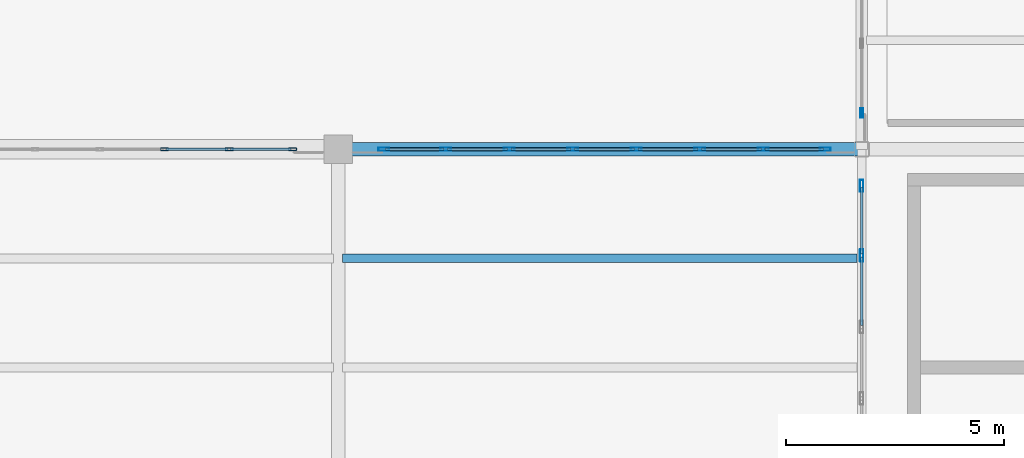
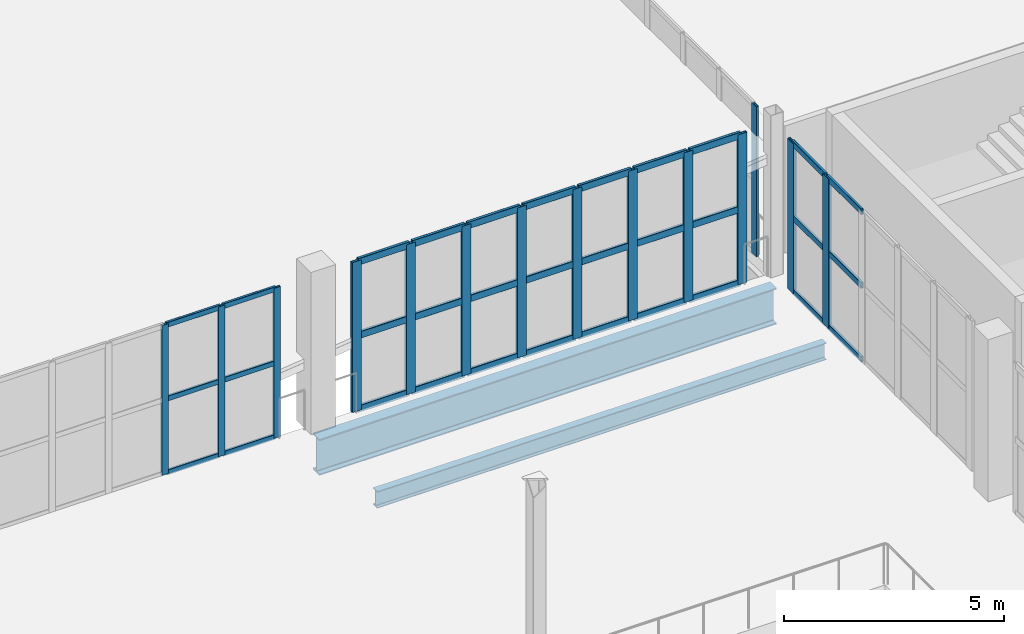
# One storey, part 15 of 90: 47 members, 2 beams, 4 elements without a shape of their own.
"""IFC4 building model written with IfcOpenShell, lengths in metres."""

from ifc_helpers import new_model, si_unit, direction, frame, origin, origin_2d, place, context, subcontext, project, spatial, hollow_rectangle, i_section, extrude, material, layer, layer_set, material_profile, profile_set, type_object, element, aggregate, save


model = new_model("IFC4")

# Units and contexts
model_context = context("Model", 3, precision=1e-05, world=origin(), true_north=direction((0.0, 1.0)))
body_context = subcontext(model_context, "Body", "Model", "MODEL_VIEW")
ifc_project = project(units=[si_unit("LENGTHUNIT", "METRE"), si_unit("AREAUNIT", "SQUARE_METRE"), si_unit("VOLUMEUNIT", "CUBIC_METRE"), si_unit("PLANEANGLEUNIT", "RADIAN"), si_unit("MASSUNIT", "GRAM", prefix="KILO")], contexts=[model_context])

# Site, building, storey
site_placement = place(None, origin())
site = spatial("IfcSite", under=ifc_project, at=site_placement, CompositionType="ELEMENT")
building_placement = place(site_placement, origin())
building = spatial("IfcBuilding", under=site, at=building_placement, Name="Brinegate Civic Arena", CompositionType="ELEMENT")
storey_placement = place(building_placement, frame((0.0, 0.0, 14.699951171875)))
storey = spatial("IfcBuildingStorey", under=building, at=storey_placement, Name="L03", CompositionType="ELEMENT", Elevation=14.699951171875)

# Curtain wall, members
ifc_material_1 = material(Name="Marine grade aluminium", Category="aluminium")
ifc_layer_1 = layer(ifc_material_1, 0.18505859375, Name="Marine grade aluminium")
ifc_layer_set_1 = layer_set([ifc_layer_1], Name="Marine grade aluminium")
curtain_wall_type_1 = type_object("IfcCurtainWallType", Name="CW-WING-GLAZED-03", PredefinedType="USERDEFINED", material=ifc_layer_set_1)
curtain_wall_1_placement = place(storey_placement, origin())
curtain_wall_1 = element("IfcCurtainWall", 1, at=curtain_wall_1_placement, inside=storey, type_object=curtain_wall_type_1, Name="Curtain Wall CWA-030", ObjectType="GLAZED CURTAIN WALL", PredefinedType="USERDEFINED")
ifc_material_profile_1 = material_profile(ifc_material_1, hollow_rectangle(XDim=0.06494140625, YDim=0.179931640625, WallThickness=0.0048828125, InnerFilletRadius=0.00390625, OuterFilletRadius=0.008056640625, at=origin_2d()), Name="MUL65X180")
ifc_profile_set_1 = profile_set([ifc_material_profile_1], Name="Marine grade aluminium")
member_type_1 = type_object("IfcMemberType", Name="CW-MULLION-65X180", PredefinedType="MULLION", material=ifc_profile_set_1)
member_1_placement = place(storey_placement, frame((32.021484375, 52.0, 0.0), z_axis=(0.0, 0.0, 1.0), x_axis=(0.0, 1.0, 0.0)))
member_1 = element("IfcMember", 2, at=member_1_placement, type_object=member_type_1, Name="CWA-030 mullion 6", PredefinedType="MULLION", context=body_context, shape_type="SweptSolid", body=[
    extrude(hollow_rectangle(XDim=0.06494140625, YDim=0.179931640625, WallThickness=0.0048828125, InnerFilletRadius=0.00390625, OuterFilletRadius=0.008056640625, at=origin_2d()), origin(), (0.0, 0.0, 1.0), 4.16015625),
])
member_2_placement = place(storey_placement, frame((33.505615234375, 52.0, 0.0), z_axis=(0.0, 0.0, 1.0), x_axis=(0.0, 1.0, 0.0)))
member_2 = element("IfcMember", 3, at=member_2_placement, type_object=member_type_1, Name="CWA-030 mullion 7", PredefinedType="MULLION", context=body_context, shape_type="SweptSolid", body=[
    extrude(hollow_rectangle(XDim=0.06494140625, YDim=0.179931640625, WallThickness=0.0048828125, InnerFilletRadius=0.00390625, OuterFilletRadius=0.008056640625, at=origin_2d()), origin(), (0.0, 0.0, 1.0), 4.16015625),
])
member_3_placement = place(storey_placement, frame((34.95751953125, 52.0, 0.0), z_axis=(0.0, 0.0, 1.0), x_axis=(0.0, 1.0, 0.0)))
member_3 = element("IfcMember", 4, at=member_3_placement, type_object=member_type_1, Name="CWA-030 mullion 8", PredefinedType="MULLION", context=body_context, shape_type="SweptSolid", body=[
    extrude(hollow_rectangle(XDim=0.06494140625, YDim=0.179931640625, WallThickness=0.0048828125, InnerFilletRadius=0.00390625, OuterFilletRadius=0.008056640625, at=origin_2d()), origin(), (0.0, 0.0, 1.0), 4.16015625),
])

# Curtain wall, member
ifc_layer_2 = layer(ifc_material_1, 0.199951171875, Name="Marine grade aluminium")
ifc_layer_set_2 = layer_set([ifc_layer_2], Name="Marine grade aluminium")
curtain_wall_type_2 = type_object("IfcCurtainWallType", Name="CW-BOWL-GLAZED-01", PredefinedType="USERDEFINED", material=ifc_layer_set_2)
curtain_wall_2_placement = place(storey_placement, origin())
curtain_wall_2 = element("IfcCurtainWall", 5, at=curtain_wall_2_placement, inside=storey, type_object=curtain_wall_type_2, Name="Curtain Wall CWA-113", ObjectType="GLAZED CURTAIN WALL", PredefinedType="USERDEFINED")
ifc_material_profile_2 = material_profile(ifc_material_1, hollow_rectangle(XDim=0.06494140625, YDim=0.219970703125, WallThickness=0.006103515625, InnerFilletRadius=0.00390625, OuterFilletRadius=0.008056640625, at=origin_2d()), Name="MUL65X220")
ifc_profile_set_2 = profile_set([ifc_material_profile_2], Name="Marine grade aluminium")
member_type_2 = type_object("IfcMemberType", Name="CW-MULLION-65X220", PredefinedType="MULLION", material=ifc_profile_set_2)
member_4_placement = place(storey_placement, frame((48.0, 52.82958984375, 0.0), z_axis=(0.0, 0.0, 1.0), x_axis=(-1.0, 0.0, 0.0)))
member_4 = element("IfcMember", 6, at=member_4_placement, type_object=member_type_2, Name="CWA-113 mullion 1", PredefinedType="MULLION", context=body_context, shape_type="SweptSolid", body=[
    extrude(hollow_rectangle(XDim=0.06494140625, YDim=0.219970703125, WallThickness=0.006103515625, InnerFilletRadius=0.00390625, OuterFilletRadius=0.008056640625, at=origin_2d()), origin(), (0.0, 0.0, 1.0), 4.16015625),
])
aggregate(curtain_wall_2, [member_4])

# Curtain wall, members
curtain_wall_3_placement = place(storey_placement, origin())
curtain_wall_3 = element("IfcCurtainWall", 7, at=curtain_wall_3_placement, inside=storey, type_object=curtain_wall_type_1, Name="Curtain Wall CWA-032", ObjectType="GLAZED CURTAIN WALL", PredefinedType="USERDEFINED")
ifc_material_profile_3 = material_profile(ifc_material_1, hollow_rectangle(XDim=0.074951171875, YDim=0.25, WallThickness=0.006103515625, InnerFilletRadius=0.00390625, OuterFilletRadius=0.008056640625, at=origin_2d()), Name="MUL75X250")
ifc_profile_set_3 = profile_set([ifc_material_profile_3], Name="Marine grade aluminium")
member_type_3 = type_object("IfcMemberType", Name="CW-MULLION-75X250", PredefinedType="MULLION", material=ifc_profile_set_3)
member_5_placement = place(storey_placement, frame((37.047607421875, 52.0, 0.0), z_axis=(0.0, 0.0, 1.0), x_axis=(0.0, 1.0, 0.0)))
member_5 = element("IfcMember", 8, at=member_5_placement, type_object=member_type_3, Name="CWA-032 mullion 1", PredefinedType="MULLION", context=body_context, shape_type="SweptSolid", body=[
    extrude(hollow_rectangle(XDim=0.074951171875, YDim=0.25, WallThickness=0.006103515625, InnerFilletRadius=0.00390625, OuterFilletRadius=0.008056640625, at=origin_2d()), origin(), (0.0, 0.0, 1.0), 4.16015625),
])
member_6_placement = place(storey_placement, frame((38.466064453125, 52.0, 0.0), z_axis=(0.0, 0.0, 1.0), x_axis=(0.0, 1.0, 0.0)))
member_6 = element("IfcMember", 9, at=member_6_placement, type_object=member_type_3, Name="CWA-032 mullion 2", PredefinedType="MULLION", context=body_context, shape_type="SweptSolid", body=[
    extrude(hollow_rectangle(XDim=0.074951171875, YDim=0.25, WallThickness=0.006103515625, InnerFilletRadius=0.00390625, OuterFilletRadius=0.008056640625, at=origin_2d()), origin(), (0.0, 0.0, 1.0), 4.16015625),
])
member_7_placement = place(storey_placement, frame((39.92236328125, 52.0, 0.0), z_axis=(0.0, 0.0, 1.0), x_axis=(0.0, 1.0, 0.0)))
member_7 = element("IfcMember", 10, at=member_7_placement, type_object=member_type_3, Name="CWA-032 mullion 3", PredefinedType="MULLION", context=body_context, shape_type="SweptSolid", body=[
    extrude(hollow_rectangle(XDim=0.074951171875, YDim=0.25, WallThickness=0.006103515625, InnerFilletRadius=0.00390625, OuterFilletRadius=0.008056640625, at=origin_2d()), origin(), (0.0, 0.0, 1.0), 4.16015625),
])
member_8_placement = place(storey_placement, frame((41.37841796875, 52.0, 0.0), z_axis=(0.0, 0.0, 1.0), x_axis=(0.0, 1.0, 0.0)))
member_8 = element("IfcMember", 11, at=member_8_placement, type_object=member_type_3, Name="CWA-032 mullion 4", PredefinedType="MULLION", context=body_context, shape_type="SweptSolid", body=[
    extrude(hollow_rectangle(XDim=0.074951171875, YDim=0.25, WallThickness=0.006103515625, InnerFilletRadius=0.00390625, OuterFilletRadius=0.008056640625, at=origin_2d()), origin(), (0.0, 0.0, 1.0), 4.16015625),
])
member_9_placement = place(storey_placement, frame((42.83447265625, 52.0, 0.0), z_axis=(0.0, 0.0, 1.0), x_axis=(0.0, 1.0, 0.0)))
member_9 = element("IfcMember", 12, at=member_9_placement, type_object=member_type_3, Name="CWA-032 mullion 5", PredefinedType="MULLION", context=body_context, shape_type="SweptSolid", body=[
    extrude(hollow_rectangle(XDim=0.074951171875, YDim=0.25, WallThickness=0.006103515625, InnerFilletRadius=0.00390625, OuterFilletRadius=0.008056640625, at=origin_2d()), origin(), (0.0, 0.0, 1.0), 4.16015625),
])
member_10_placement = place(storey_placement, frame((44.290771484375, 52.0, 0.0), z_axis=(0.0, 0.0, 1.0), x_axis=(0.0, 1.0, 0.0)))
member_10 = element("IfcMember", 13, at=member_10_placement, type_object=member_type_3, Name="CWA-032 mullion 6", PredefinedType="MULLION", context=body_context, shape_type="SweptSolid", body=[
    extrude(hollow_rectangle(XDim=0.074951171875, YDim=0.25, WallThickness=0.006103515625, InnerFilletRadius=0.00390625, OuterFilletRadius=0.008056640625, at=origin_2d()), origin(), (0.0, 0.0, 1.0), 4.16015625),
])
member_11_placement = place(storey_placement, frame((45.746826171875, 52.0, 0.0), z_axis=(0.0, 0.0, 1.0), x_axis=(0.0, 1.0, 0.0)))
member_11 = element("IfcMember", 14, at=member_11_placement, type_object=member_type_3, Name="CWA-032 mullion 7", PredefinedType="MULLION", context=body_context, shape_type="SweptSolid", body=[
    extrude(hollow_rectangle(XDim=0.074951171875, YDim=0.25, WallThickness=0.006103515625, InnerFilletRadius=0.00390625, OuterFilletRadius=0.008056640625, at=origin_2d()), origin(), (0.0, 0.0, 1.0), 4.16015625),
])
member_12_placement = place(storey_placement, frame((47.16552734375, 52.0, 0.0), z_axis=(0.0, 0.0, 1.0), x_axis=(0.0, 1.0, 0.0)))
member_12 = element("IfcMember", 15, at=member_12_placement, type_object=member_type_3, Name="CWA-032 mullion 8", PredefinedType="MULLION", context=body_context, shape_type="SweptSolid", body=[
    extrude(hollow_rectangle(XDim=0.074951171875, YDim=0.25, WallThickness=0.006103515625, InnerFilletRadius=0.00390625, OuterFilletRadius=0.008056640625, at=origin_2d()), origin(), (0.0, 0.0, 1.0), 4.16015625),
])

curtain_wall_4_placement = place(storey_placement, origin())
curtain_wall_4 = element("IfcCurtainWall", 16, at=curtain_wall_4_placement, inside=storey, type_object=curtain_wall_type_2, Name="Curtain Wall CWA-111", ObjectType="GLAZED CURTAIN WALL", PredefinedType="USERDEFINED")
ifc_material_profile_4 = material_profile(ifc_material_1, hollow_rectangle(XDim=0.080078125, YDim=0.280029296875, WallThickness=0.007080078125, InnerFilletRadius=0.0048828125, OuterFilletRadius=0.010009765625, at=origin_2d()), Name="MUL80X280")
ifc_profile_set_4 = profile_set([ifc_material_profile_4], Name="Marine grade aluminium")
member_type_4 = type_object("IfcMemberType", Name="CW-MULLION-80X280", PredefinedType="MULLION", material=ifc_profile_set_4)
member_13_placement = place(storey_placement, frame((48.0, 49.564453125, 0.0), z_axis=(0.0, 0.0, 1.0), x_axis=(-1.0, 0.0, 0.0)))
member_13 = element("IfcMember", 17, at=member_13_placement, type_object=member_type_4, Name="CWA-111 mullion 5", PredefinedType="MULLION", context=body_context, shape_type="SweptSolid", body=[
    extrude(hollow_rectangle(XDim=0.080078125, YDim=0.280029296875, WallThickness=0.007080078125, InnerFilletRadius=0.0048828125, OuterFilletRadius=0.010009765625, at=origin_2d()), origin(), (0.0, 0.0, 1.0), 4.16015625),
])
member_14_placement = place(storey_placement, frame((48.0, 51.1630859375, 0.0), z_axis=(0.0, 0.0, 1.0), x_axis=(-1.0, 0.0, 0.0)))
member_14 = element("IfcMember", 18, at=member_14_placement, type_object=member_type_4, Name="CWA-111 mullion 6", PredefinedType="MULLION", context=body_context, shape_type="SweptSolid", body=[
    extrude(hollow_rectangle(XDim=0.080078125, YDim=0.280029296875, WallThickness=0.007080078125, InnerFilletRadius=0.0048828125, OuterFilletRadius=0.010009765625, at=origin_2d()), origin(), (0.0, 0.0, 1.0), 4.16015625),
])

# Member
ifc_material_profile_5 = material_profile(ifc_material_1, hollow_rectangle(XDim=0.06494140625, YDim=0.139892578125, WallThickness=0.0048828125, InnerFilletRadius=0.00390625, OuterFilletRadius=0.008056640625, at=origin_2d()), Name="TRN65X140")
ifc_profile_set_5 = profile_set([ifc_material_profile_5], Name="Marine grade aluminium")
member_type_5 = type_object("IfcMemberType", Name="CW-TRANSOM-65X140", PredefinedType="USERDEFINED", material=ifc_profile_set_5)
member_15_placement = place(storey_placement, frame((32.053955078125, 52.0, 0.032470703125), z_axis=(1.0, 0.0, 0.0), x_axis=(0.0, 1.0, 0.0)))
member_15 = element("IfcMember", 19, at=member_15_placement, type_object=member_type_5, Name="CWA-030 transom 6.1", ObjectType="TRANSOM", PredefinedType="USERDEFINED", context=body_context, shape_type="SweptSolid", body=[
    extrude(hollow_rectangle(XDim=0.06494140625, YDim=0.139892578125, WallThickness=0.0048828125, InnerFilletRadius=0.00390625, OuterFilletRadius=0.008056640625, at=origin_2d()), origin(), (0.0, 0.0, 1.0), 1.419189453125),
])

member_16_placement = place(storey_placement, frame((32.053955078125, 52.0, 2.080078125), z_axis=(1.0, 0.0, 0.0), x_axis=(0.0, 1.0, 0.0)))
member_16 = element("IfcMember", 20, at=member_16_placement, type_object=member_type_5, Name="CWA-030 transom 6.2", ObjectType="TRANSOM", PredefinedType="USERDEFINED", context=body_context, shape_type="SweptSolid", body=[
    extrude(hollow_rectangle(XDim=0.06494140625, YDim=0.139892578125, WallThickness=0.0048828125, InnerFilletRadius=0.00390625, OuterFilletRadius=0.008056640625, at=origin_2d()), origin(), (0.0, 0.0, 1.0), 1.419189453125),
])

member_17_placement = place(storey_placement, frame((32.053955078125, 52.0, 4.12744140625), z_axis=(1.0, 0.0, 0.0), x_axis=(0.0, 1.0, 0.0)))
member_17 = element("IfcMember", 21, at=member_17_placement, type_object=member_type_5, Name="CWA-030 transom 6.3", ObjectType="TRANSOM", PredefinedType="USERDEFINED", context=body_context, shape_type="SweptSolid", body=[
    extrude(hollow_rectangle(XDim=0.06494140625, YDim=0.139892578125, WallThickness=0.0048828125, InnerFilletRadius=0.00390625, OuterFilletRadius=0.008056640625, at=origin_2d()), origin(), (0.0, 0.0, 1.0), 1.419189453125),
])

member_18_placement = place(storey_placement, frame((33.538330078125, 52.0, 0.032470703125), z_axis=(1.0, 0.0, 0.0), x_axis=(0.0, 1.0, 0.0)))
member_18 = element("IfcMember", 22, at=member_18_placement, type_object=member_type_5, Name="CWA-030 transom 7.1", ObjectType="TRANSOM", PredefinedType="USERDEFINED", context=body_context, shape_type="SweptSolid", body=[
    extrude(hollow_rectangle(XDim=0.06494140625, YDim=0.139892578125, WallThickness=0.0048828125, InnerFilletRadius=0.00390625, OuterFilletRadius=0.008056640625, at=origin_2d()), origin(), (0.0, 0.0, 1.0), 1.38671875),
])

member_19_placement = place(storey_placement, frame((33.538330078125, 52.0, 2.080078125), z_axis=(1.0, 0.0, 0.0), x_axis=(0.0, 1.0, 0.0)))
member_19 = element("IfcMember", 23, at=member_19_placement, type_object=member_type_5, Name="CWA-030 transom 7.2", ObjectType="TRANSOM", PredefinedType="USERDEFINED", context=body_context, shape_type="SweptSolid", body=[
    extrude(hollow_rectangle(XDim=0.06494140625, YDim=0.139892578125, WallThickness=0.0048828125, InnerFilletRadius=0.00390625, OuterFilletRadius=0.008056640625, at=origin_2d()), origin(), (0.0, 0.0, 1.0), 1.38671875),
])

member_20_placement = place(storey_placement, frame((33.538330078125, 52.0, 4.12744140625), z_axis=(1.0, 0.0, 0.0), x_axis=(0.0, 1.0, 0.0)))
member_20 = element("IfcMember", 24, at=member_20_placement, type_object=member_type_5, Name="CWA-030 transom 7.3", ObjectType="TRANSOM", PredefinedType="USERDEFINED", context=body_context, shape_type="SweptSolid", body=[
    extrude(hollow_rectangle(XDim=0.06494140625, YDim=0.139892578125, WallThickness=0.0048828125, InnerFilletRadius=0.00390625, OuterFilletRadius=0.008056640625, at=origin_2d()), origin(), (0.0, 0.0, 1.0), 1.38671875),
])

aggregate(curtain_wall_1, [member_1, member_2, member_3, member_15, member_16, member_17, member_18, member_19, member_20])

ifc_material_profile_6 = material_profile(ifc_material_1, hollow_rectangle(XDim=0.06494140625, YDim=0.1650390625, WallThickness=0.0048828125, InnerFilletRadius=0.00390625, OuterFilletRadius=0.008056640625, at=origin_2d()), Name="TRN65X165")
ifc_profile_set_6 = profile_set([ifc_material_profile_6], Name="Marine grade aluminium")
member_type_6 = type_object("IfcMemberType", Name="CW-TRANSOM-65X165", PredefinedType="USERDEFINED", material=ifc_profile_set_6)
member_21_placement = place(storey_placement, frame((48.0, 47.9658203125, 0.032470703125), z_axis=(0.0, 1.0, 0.0), x_axis=(-1.0, 0.0, 0.0)))
member_21 = element("IfcMember", 25, at=member_21_placement, type_object=member_type_6, Name="CWA-111 transom 4.1", ObjectType="TRANSOM", PredefinedType="USERDEFINED", context=body_context, shape_type="SweptSolid", body=[
    extrude(hollow_rectangle(XDim=0.06494140625, YDim=0.1650390625, WallThickness=0.0048828125, InnerFilletRadius=0.00390625, OuterFilletRadius=0.008056640625, at=origin_2d()), origin(), (0.0, 0.0, 1.0), 1.55859375),
])

member_22_placement = place(storey_placement, frame((48.0, 47.9658203125, 2.080078125), z_axis=(0.0, 1.0, 0.0), x_axis=(-1.0, 0.0, 0.0)))
member_22 = element("IfcMember", 26, at=member_22_placement, type_object=member_type_6, Name="CWA-111 transom 4.2", ObjectType="TRANSOM", PredefinedType="USERDEFINED", context=body_context, shape_type="SweptSolid", body=[
    extrude(hollow_rectangle(XDim=0.06494140625, YDim=0.1650390625, WallThickness=0.0048828125, InnerFilletRadius=0.00390625, OuterFilletRadius=0.008056640625, at=origin_2d()), origin(), (0.0, 0.0, 1.0), 1.55859375),
])

member_23_placement = place(storey_placement, frame((48.0, 47.9658203125, 4.12744140625), z_axis=(0.0, 1.0, 0.0), x_axis=(-1.0, 0.0, 0.0)))
member_23 = element("IfcMember", 27, at=member_23_placement, type_object=member_type_6, Name="CWA-111 transom 4.3", ObjectType="TRANSOM", PredefinedType="USERDEFINED", context=body_context, shape_type="SweptSolid", body=[
    extrude(hollow_rectangle(XDim=0.06494140625, YDim=0.1650390625, WallThickness=0.0048828125, InnerFilletRadius=0.00390625, OuterFilletRadius=0.008056640625, at=origin_2d()), origin(), (0.0, 0.0, 1.0), 1.55859375),
])

member_24_placement = place(storey_placement, frame((48.0, 49.6044921875, 0.032470703125), z_axis=(0.0, 1.0, 0.0), x_axis=(-1.0, 0.0, 0.0)))
member_24 = element("IfcMember", 28, at=member_24_placement, type_object=member_type_6, Name="CWA-111 transom 5.1", ObjectType="TRANSOM", PredefinedType="USERDEFINED", context=body_context, shape_type="SweptSolid", body=[
    extrude(hollow_rectangle(XDim=0.06494140625, YDim=0.1650390625, WallThickness=0.0048828125, InnerFilletRadius=0.00390625, OuterFilletRadius=0.008056640625, at=origin_2d()), origin(), (0.0, 0.0, 1.0), 1.5185546875),
])

member_25_placement = place(storey_placement, frame((48.0, 49.6044921875, 2.080078125), z_axis=(0.0, 1.0, 0.0), x_axis=(-1.0, 0.0, 0.0)))
member_25 = element("IfcMember", 29, at=member_25_placement, type_object=member_type_6, Name="CWA-111 transom 5.2", ObjectType="TRANSOM", PredefinedType="USERDEFINED", context=body_context, shape_type="SweptSolid", body=[
    extrude(hollow_rectangle(XDim=0.06494140625, YDim=0.1650390625, WallThickness=0.0048828125, InnerFilletRadius=0.00390625, OuterFilletRadius=0.008056640625, at=origin_2d()), origin(), (0.0, 0.0, 1.0), 1.5185546875),
])

member_26_placement = place(storey_placement, frame((48.0, 49.6044921875, 4.12744140625), z_axis=(0.0, 1.0, 0.0), x_axis=(-1.0, 0.0, 0.0)))
member_26 = element("IfcMember", 30, at=member_26_placement, type_object=member_type_6, Name="CWA-111 transom 5.3", ObjectType="TRANSOM", PredefinedType="USERDEFINED", context=body_context, shape_type="SweptSolid", body=[
    extrude(hollow_rectangle(XDim=0.06494140625, YDim=0.1650390625, WallThickness=0.0048828125, InnerFilletRadius=0.00390625, OuterFilletRadius=0.008056640625, at=origin_2d()), origin(), (0.0, 0.0, 1.0), 1.5185546875),
])

aggregate(curtain_wall_4, [member_13, member_14, member_21, member_22, member_23, member_24, member_25, member_26])

ifc_material_profile_7 = material_profile(ifc_material_1, hollow_rectangle(XDim=0.074951171875, YDim=0.18994140625, WallThickness=0.006103515625, InnerFilletRadius=0.00390625, OuterFilletRadius=0.008056640625, at=origin_2d()), Name="TRN75X190")
ifc_profile_set_7 = profile_set([ifc_material_profile_7], Name="Marine grade aluminium")
member_type_7 = type_object("IfcMemberType", Name="CW-TRANSOM-75X190", PredefinedType="USERDEFINED", material=ifc_profile_set_7)
member_27_placement = place(storey_placement, frame((37.0849609375, 52.0, 0.03759765625), z_axis=(1.0, 0.0, 0.0), x_axis=(0.0, 1.0, 0.0)))
member_27 = element("IfcMember", 31, at=member_27_placement, type_object=member_type_7, Name="CWA-032 transom 1.1", ObjectType="TRANSOM", PredefinedType="USERDEFINED", context=body_context, shape_type="SweptSolid", body=[
    extrude(hollow_rectangle(XDim=0.074951171875, YDim=0.18994140625, WallThickness=0.006103515625, InnerFilletRadius=0.00390625, OuterFilletRadius=0.008056640625, at=origin_2d()), origin(), (0.0, 0.0, 1.0), 1.34375),
])

member_28_placement = place(storey_placement, frame((37.0849609375, 52.0, 2.080078125), z_axis=(1.0, 0.0, 0.0), x_axis=(0.0, 1.0, 0.0)))
member_28 = element("IfcMember", 32, at=member_28_placement, type_object=member_type_7, Name="CWA-032 transom 1.2", ObjectType="TRANSOM", PredefinedType="USERDEFINED", context=body_context, shape_type="SweptSolid", body=[
    extrude(hollow_rectangle(XDim=0.074951171875, YDim=0.18994140625, WallThickness=0.006103515625, InnerFilletRadius=0.00390625, OuterFilletRadius=0.008056640625, at=origin_2d()), origin(), (0.0, 0.0, 1.0), 1.34375),
])

member_29_placement = place(storey_placement, frame((37.0849609375, 52.0, 4.12255859375), z_axis=(1.0, 0.0, 0.0), x_axis=(0.0, 1.0, 0.0)))
member_29 = element("IfcMember", 33, at=member_29_placement, type_object=member_type_7, Name="CWA-032 transom 1.3", ObjectType="TRANSOM", PredefinedType="USERDEFINED", context=body_context, shape_type="SweptSolid", body=[
    extrude(hollow_rectangle(XDim=0.074951171875, YDim=0.18994140625, WallThickness=0.006103515625, InnerFilletRadius=0.00390625, OuterFilletRadius=0.008056640625, at=origin_2d()), origin(), (0.0, 0.0, 1.0), 1.34375),
])

member_30_placement = place(storey_placement, frame((38.503662109375, 52.0, 0.03759765625), z_axis=(1.0, 0.0, 0.0), x_axis=(0.0, 1.0, 0.0)))
member_30 = element("IfcMember", 34, at=member_30_placement, type_object=member_type_7, Name="CWA-032 transom 2.1", ObjectType="TRANSOM", PredefinedType="USERDEFINED", context=body_context, shape_type="SweptSolid", body=[
    extrude(hollow_rectangle(XDim=0.074951171875, YDim=0.18994140625, WallThickness=0.006103515625, InnerFilletRadius=0.00390625, OuterFilletRadius=0.008056640625, at=origin_2d()), origin(), (0.0, 0.0, 1.0), 1.381103515625),
])

member_31_placement = place(storey_placement, frame((38.503662109375, 52.0, 2.080078125), z_axis=(1.0, 0.0, 0.0), x_axis=(0.0, 1.0, 0.0)))
member_31 = element("IfcMember", 35, at=member_31_placement, type_object=member_type_7, Name="CWA-032 transom 2.2", ObjectType="TRANSOM", PredefinedType="USERDEFINED", context=body_context, shape_type="SweptSolid", body=[
    extrude(hollow_rectangle(XDim=0.074951171875, YDim=0.18994140625, WallThickness=0.006103515625, InnerFilletRadius=0.00390625, OuterFilletRadius=0.008056640625, at=origin_2d()), origin(), (0.0, 0.0, 1.0), 1.381103515625),
])

member_32_placement = place(storey_placement, frame((38.503662109375, 52.0, 4.12255859375), z_axis=(1.0, 0.0, 0.0), x_axis=(0.0, 1.0, 0.0)))
member_32 = element("IfcMember", 36, at=member_32_placement, type_object=member_type_7, Name="CWA-032 transom 2.3", ObjectType="TRANSOM", PredefinedType="USERDEFINED", context=body_context, shape_type="SweptSolid", body=[
    extrude(hollow_rectangle(XDim=0.074951171875, YDim=0.18994140625, WallThickness=0.006103515625, InnerFilletRadius=0.00390625, OuterFilletRadius=0.008056640625, at=origin_2d()), origin(), (0.0, 0.0, 1.0), 1.381103515625),
])

member_33_placement = place(storey_placement, frame((39.959716796875, 52.0, 0.03759765625), z_axis=(1.0, 0.0, 0.0), x_axis=(0.0, 1.0, 0.0)))
member_33 = element("IfcMember", 37, at=member_33_placement, type_object=member_type_7, Name="CWA-032 transom 3.1", ObjectType="TRANSOM", PredefinedType="USERDEFINED", context=body_context, shape_type="SweptSolid", body=[
    extrude(hollow_rectangle(XDim=0.074951171875, YDim=0.18994140625, WallThickness=0.006103515625, InnerFilletRadius=0.00390625, OuterFilletRadius=0.008056640625, at=origin_2d()), origin(), (0.0, 0.0, 1.0), 1.381103515625),
])

member_34_placement = place(storey_placement, frame((39.959716796875, 52.0, 2.080078125), z_axis=(1.0, 0.0, 0.0), x_axis=(0.0, 1.0, 0.0)))
member_34 = element("IfcMember", 38, at=member_34_placement, type_object=member_type_7, Name="CWA-032 transom 3.2", ObjectType="TRANSOM", PredefinedType="USERDEFINED", context=body_context, shape_type="SweptSolid", body=[
    extrude(hollow_rectangle(XDim=0.074951171875, YDim=0.18994140625, WallThickness=0.006103515625, InnerFilletRadius=0.00390625, OuterFilletRadius=0.008056640625, at=origin_2d()), origin(), (0.0, 0.0, 1.0), 1.381103515625),
])

member_35_placement = place(storey_placement, frame((39.959716796875, 52.0, 4.12255859375), z_axis=(1.0, 0.0, 0.0), x_axis=(0.0, 1.0, 0.0)))
member_35 = element("IfcMember", 39, at=member_35_placement, type_object=member_type_7, Name="CWA-032 transom 3.3", ObjectType="TRANSOM", PredefinedType="USERDEFINED", context=body_context, shape_type="SweptSolid", body=[
    extrude(hollow_rectangle(XDim=0.074951171875, YDim=0.18994140625, WallThickness=0.006103515625, InnerFilletRadius=0.00390625, OuterFilletRadius=0.008056640625, at=origin_2d()), origin(), (0.0, 0.0, 1.0), 1.381103515625),
])

member_36_placement = place(storey_placement, frame((41.416015625, 52.0, 0.03759765625), z_axis=(1.0, 0.0, 0.0), x_axis=(0.0, 1.0, 0.0)))
member_36 = element("IfcMember", 40, at=member_36_placement, type_object=member_type_7, Name="CWA-032 transom 4.1", ObjectType="TRANSOM", PredefinedType="USERDEFINED", context=body_context, shape_type="SweptSolid", body=[
    extrude(hollow_rectangle(XDim=0.074951171875, YDim=0.18994140625, WallThickness=0.006103515625, InnerFilletRadius=0.00390625, OuterFilletRadius=0.008056640625, at=origin_2d()), origin(), (0.0, 0.0, 1.0), 1.381103515625),
])

member_37_placement = place(storey_placement, frame((41.416015625, 52.0, 2.080078125), z_axis=(1.0, 0.0, 0.0), x_axis=(0.0, 1.0, 0.0)))
member_37 = element("IfcMember", 41, at=member_37_placement, type_object=member_type_7, Name="CWA-032 transom 4.2", ObjectType="TRANSOM", PredefinedType="USERDEFINED", context=body_context, shape_type="SweptSolid", body=[
    extrude(hollow_rectangle(XDim=0.074951171875, YDim=0.18994140625, WallThickness=0.006103515625, InnerFilletRadius=0.00390625, OuterFilletRadius=0.008056640625, at=origin_2d()), origin(), (0.0, 0.0, 1.0), 1.381103515625),
])

member_38_placement = place(storey_placement, frame((41.416015625, 52.0, 4.12255859375), z_axis=(1.0, 0.0, 0.0), x_axis=(0.0, 1.0, 0.0)))
member_38 = element("IfcMember", 42, at=member_38_placement, type_object=member_type_7, Name="CWA-032 transom 4.3", ObjectType="TRANSOM", PredefinedType="USERDEFINED", context=body_context, shape_type="SweptSolid", body=[
    extrude(hollow_rectangle(XDim=0.074951171875, YDim=0.18994140625, WallThickness=0.006103515625, InnerFilletRadius=0.00390625, OuterFilletRadius=0.008056640625, at=origin_2d()), origin(), (0.0, 0.0, 1.0), 1.381103515625),
])

member_39_placement = place(storey_placement, frame((42.8720703125, 52.0, 0.03759765625), z_axis=(1.0, 0.0, 0.0), x_axis=(0.0, 1.0, 0.0)))
member_39 = element("IfcMember", 43, at=member_39_placement, type_object=member_type_7, Name="CWA-032 transom 5.1", ObjectType="TRANSOM", PredefinedType="USERDEFINED", context=body_context, shape_type="SweptSolid", body=[
    extrude(hollow_rectangle(XDim=0.074951171875, YDim=0.18994140625, WallThickness=0.006103515625, InnerFilletRadius=0.00390625, OuterFilletRadius=0.008056640625, at=origin_2d()), origin(), (0.0, 0.0, 1.0), 1.381103515625),
])

member_40_placement = place(storey_placement, frame((42.8720703125, 52.0, 2.080078125), z_axis=(1.0, 0.0, 0.0), x_axis=(0.0, 1.0, 0.0)))
member_40 = element("IfcMember", 44, at=member_40_placement, type_object=member_type_7, Name="CWA-032 transom 5.2", ObjectType="TRANSOM", PredefinedType="USERDEFINED", context=body_context, shape_type="SweptSolid", body=[
    extrude(hollow_rectangle(XDim=0.074951171875, YDim=0.18994140625, WallThickness=0.006103515625, InnerFilletRadius=0.00390625, OuterFilletRadius=0.008056640625, at=origin_2d()), origin(), (0.0, 0.0, 1.0), 1.381103515625),
])

member_41_placement = place(storey_placement, frame((42.8720703125, 52.0, 4.12255859375), z_axis=(1.0, 0.0, 0.0), x_axis=(0.0, 1.0, 0.0)))
member_41 = element("IfcMember", 45, at=member_41_placement, type_object=member_type_7, Name="CWA-032 transom 5.3", ObjectType="TRANSOM", PredefinedType="USERDEFINED", context=body_context, shape_type="SweptSolid", body=[
    extrude(hollow_rectangle(XDim=0.074951171875, YDim=0.18994140625, WallThickness=0.006103515625, InnerFilletRadius=0.00390625, OuterFilletRadius=0.008056640625, at=origin_2d()), origin(), (0.0, 0.0, 1.0), 1.381103515625),
])

member_42_placement = place(storey_placement, frame((44.328125, 52.0, 0.03759765625), z_axis=(1.0, 0.0, 0.0), x_axis=(0.0, 1.0, 0.0)))
member_42 = element("IfcMember", 46, at=member_42_placement, type_object=member_type_7, Name="CWA-032 transom 6.1", ObjectType="TRANSOM", PredefinedType="USERDEFINED", context=body_context, shape_type="SweptSolid", body=[
    extrude(hollow_rectangle(XDim=0.074951171875, YDim=0.18994140625, WallThickness=0.006103515625, InnerFilletRadius=0.00390625, OuterFilletRadius=0.008056640625, at=origin_2d()), origin(), (0.0, 0.0, 1.0), 1.38134765625),
])

member_43_placement = place(storey_placement, frame((44.328125, 52.0, 2.080078125), z_axis=(1.0, 0.0, 0.0), x_axis=(0.0, 1.0, 0.0)))
member_43 = element("IfcMember", 47, at=member_43_placement, type_object=member_type_7, Name="CWA-032 transom 6.2", ObjectType="TRANSOM", PredefinedType="USERDEFINED", context=body_context, shape_type="SweptSolid", body=[
    extrude(hollow_rectangle(XDim=0.074951171875, YDim=0.18994140625, WallThickness=0.006103515625, InnerFilletRadius=0.00390625, OuterFilletRadius=0.008056640625, at=origin_2d()), origin(), (0.0, 0.0, 1.0), 1.38134765625),
])

member_44_placement = place(storey_placement, frame((44.328125, 52.0, 4.12255859375), z_axis=(1.0, 0.0, 0.0), x_axis=(0.0, 1.0, 0.0)))
member_44 = element("IfcMember", 48, at=member_44_placement, type_object=member_type_7, Name="CWA-032 transom 6.3", ObjectType="TRANSOM", PredefinedType="USERDEFINED", context=body_context, shape_type="SweptSolid", body=[
    extrude(hollow_rectangle(XDim=0.074951171875, YDim=0.18994140625, WallThickness=0.006103515625, InnerFilletRadius=0.00390625, OuterFilletRadius=0.008056640625, at=origin_2d()), origin(), (0.0, 0.0, 1.0), 1.38134765625),
])

member_45_placement = place(storey_placement, frame((45.784423828125, 52.0, 0.03759765625), z_axis=(1.0, 0.0, 0.0), x_axis=(0.0, 1.0, 0.0)))
member_45 = element("IfcMember", 49, at=member_45_placement, type_object=member_type_7, Name="CWA-032 transom 7.1", ObjectType="TRANSOM", PredefinedType="USERDEFINED", context=body_context, shape_type="SweptSolid", body=[
    extrude(hollow_rectangle(XDim=0.074951171875, YDim=0.18994140625, WallThickness=0.006103515625, InnerFilletRadius=0.00390625, OuterFilletRadius=0.008056640625, at=origin_2d()), origin(), (0.0, 0.0, 1.0), 1.343505859375),
])

member_46_placement = place(storey_placement, frame((45.784423828125, 52.0, 2.080078125), z_axis=(1.0, 0.0, 0.0), x_axis=(0.0, 1.0, 0.0)))
member_46 = element("IfcMember", 50, at=member_46_placement, type_object=member_type_7, Name="CWA-032 transom 7.2", ObjectType="TRANSOM", PredefinedType="USERDEFINED", context=body_context, shape_type="SweptSolid", body=[
    extrude(hollow_rectangle(XDim=0.074951171875, YDim=0.18994140625, WallThickness=0.006103515625, InnerFilletRadius=0.00390625, OuterFilletRadius=0.008056640625, at=origin_2d()), origin(), (0.0, 0.0, 1.0), 1.343505859375),
])

member_47_placement = place(storey_placement, frame((45.784423828125, 52.0, 4.12255859375), z_axis=(1.0, 0.0, 0.0), x_axis=(0.0, 1.0, 0.0)))
member_47 = element("IfcMember", 51, at=member_47_placement, type_object=member_type_7, Name="CWA-032 transom 7.3", ObjectType="TRANSOM", PredefinedType="USERDEFINED", context=body_context, shape_type="SweptSolid", body=[
    extrude(hollow_rectangle(XDim=0.074951171875, YDim=0.18994140625, WallThickness=0.006103515625, InnerFilletRadius=0.00390625, OuterFilletRadius=0.008056640625, at=origin_2d()), origin(), (0.0, 0.0, 1.0), 1.343505859375),
])

aggregate(curtain_wall_3, [member_5, member_6, member_7, member_8, member_9, member_10, member_11, member_12, member_27, member_28, member_29, member_30, member_31, member_32, member_33, member_34, member_35, member_36, member_37, member_38, member_39, member_40, member_41, member_42, member_43, member_44, member_45, member_46, member_47])

# Beams
ifc_material_2 = material(Name="Steel S355", Category="steel")
ifc_material_profile_8 = material_profile(ifc_material_2, i_section(OverallWidth=0.300048828125, OverallDepth=1.0, WebThickness=0.01904296875, FlangeThickness=0.031982421875, FilletRadius=0.02392578125, at=origin_2d()), Name="W1000X321")
ifc_profile_set_8 = profile_set([ifc_material_profile_8], Name="Steel S355")
beam_type_1 = type_object("IfcBeamType", Name="GIRDER-W1000X321", PredefinedType="BEAM", material=ifc_profile_set_8)
beam_1_placement = place(storey_placement, frame((36.0, 52.0, -0.849853515625), z_axis=(1.0, 0.0, 0.0), x_axis=(0.0, 1.0, 0.0)))
element("IfcBeam", 52, at=beam_1_placement, inside=storey, type_object=beam_type_1, Name="Floor Girder BM-L03-GX-03-05", PredefinedType="BEAM", context=body_context, shape_type="SweptSolid", body=[
    extrude(i_section(OverallWidth=0.300048828125, OverallDepth=1.0, WebThickness=0.01904296875, FlangeThickness=0.031982421875, FilletRadius=0.02392578125, at=origin_2d()), origin(), (0.0, 0.0, 1.0), 12.0),
])
ifc_material_profile_9 = material_profile(ifc_material_2, i_section(OverallWidth=0.193115234375, OverallDepth=0.466064453125, WebThickness=0.010986328125, FlangeThickness=0.01904296875, FilletRadius=0.014892578125, at=origin_2d()), Name="W460X97")
ifc_profile_set_9 = profile_set([ifc_material_profile_9], Name="Steel S355")
beam_type_2 = type_object("IfcBeamType", Name="JOIST-W460X97", PredefinedType="JOIST", material=ifc_profile_set_9)
beam_2_placement = place(storey_placement, frame((36.10595703125, 49.5, -0.5830078125), z_axis=(1.0, 0.0, 0.0), x_axis=(0.0, 1.0, 0.0)))
element("IfcBeam", 53, at=beam_2_placement, inside=storey, type_object=beam_type_2, Name="Secondary Joist BM-L03-JX-03-04-3", PredefinedType="JOIST", context=body_context, shape_type="SweptSolid", body=[
    extrude(i_section(OverallWidth=0.193115234375, OverallDepth=0.466064453125, WebThickness=0.010986328125, FlangeThickness=0.01904296875, FilletRadius=0.014892578125, at=origin_2d()), origin(), (0.0, 0.0, 1.0), 11.7880859375),
])

save(model, "model.ifc")
